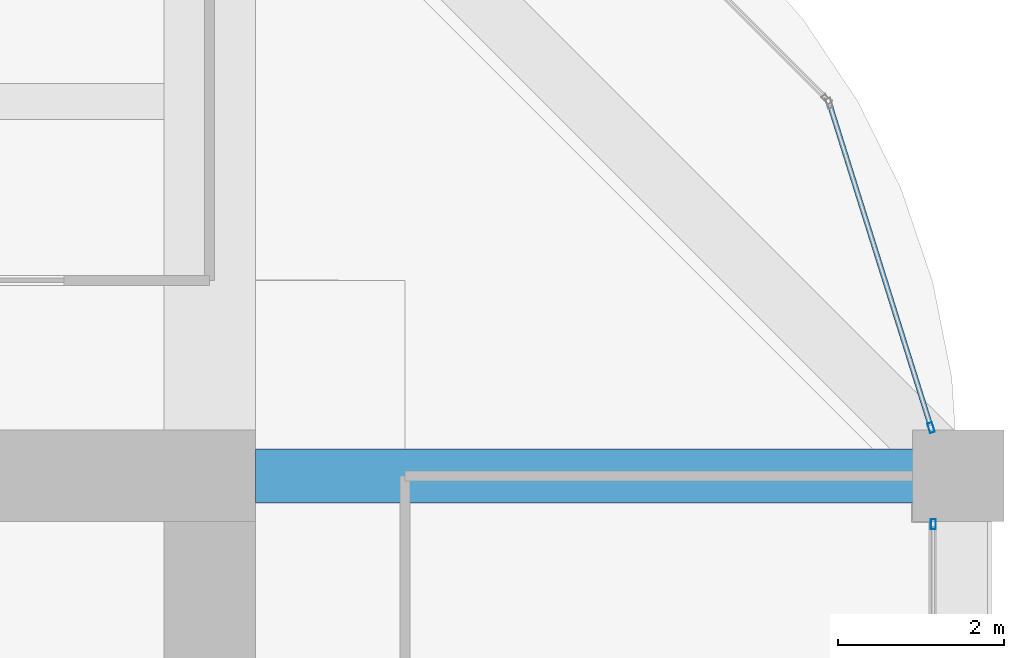
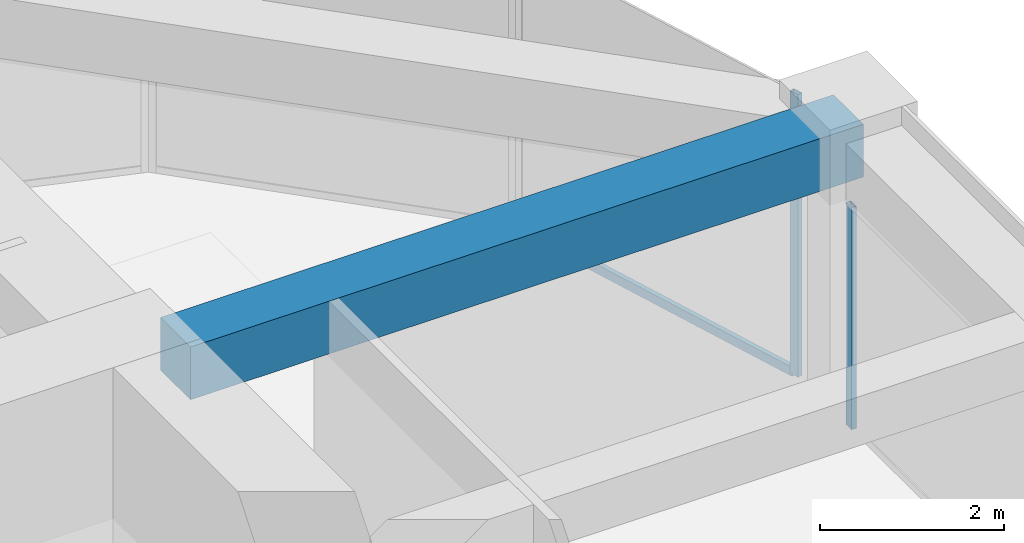
# One storey, part 36 of 44: 3 members, 1 beam, 2 elements without a shape of their own.
"""IFC4 building model written with IfcOpenShell, lengths in metres."""

import ifcopenshell
import ifcopenshell.guid

model = None  # the IFC model being written
_history = None  # IfcOwnerHistory: only IFC2X3 demands one
_inside = {}  # id of a spatial element -> (the spatial element, [elements in it])
_under = {}  # id of a project, library or spatial element -> (it, [spatial elements below it])
_declared = {}  # id of a project -> (the project, [libraries it declares])
_typed = {}  # id of a type object -> (the type object, [elements of that type])
_made_of = {}  # id of a material, layer set ... -> (it, [elements and type objects made of it])


def new_model(schema):
    """Start an empty IFC model of exactly this schema.

    Asked for "IFC4X3", IfcOpenShell would pick the latest addendum, in which some entities
    have other attributes; the version numbers below select the first issue.
    IFC2X3 requires an IfcOwnerHistory on every rooted entity: one is made here for all.
    """
    global model, _history
    if schema == "IFC4X3":
        model = ifcopenshell.file(schema_version=(4, 3, 0, 0))
    else:
        model = ifcopenshell.file(schema=schema)
    _inside.clear()
    _under.clear()
    _declared.clear()
    _typed.clear()
    _made_of.clear()
    _history = None
    if model.schema == "IFC2X3":
        org = make("IfcOrganization", Name="unknown")
        user = make(
            "IfcPersonAndOrganization",
            ThePerson=make("IfcPerson", FamilyName="unknown"),
            TheOrganization=org,
        )
        app = make(
            "IfcApplication",
            ApplicationDeveloper=org,
            Version="unknown",
            ApplicationFullName="unknown",
            ApplicationIdentifier="unknown",
        )
        _history = make(
            "IfcOwnerHistory",
            OwningUser=user,
            OwningApplication=app,
            ChangeAction="ADDED",
            CreationDate=0,
        )
    return model


def make(cls, **values):
    """One entity of the class cls with the attributes given. An attribute that is None is left unset."""
    return model.create_entity(
        cls, **{name: value for name, value in values.items() if value is not None}
    )


def rooted(cls, **values):
    """An entity with a GlobalId (a new one), such as an element, a storey or a relation."""
    return make(cls, GlobalId=ifcopenshell.guid.new(), OwnerHistory=_history, **values)


def si_unit(unit_type, name, prefix=None):
    """IfcSIUnit, for example si_unit("LENGTHUNIT", "METRE", prefix="MILLI")."""
    return make("IfcSIUnit", UnitType=unit_type, Prefix=prefix, Name=name)


def assignment(units):
    """IfcUnitAssignment: the units of a project."""
    return None if units is None else make("IfcUnitAssignment", Units=units)


def point(xyz):
    """IfcCartesianPoint."""
    return None if xyz is None else make("IfcCartesianPoint", Coordinates=xyz)


def direction(xyz):
    """IfcDirection."""
    return None if xyz is None else make("IfcDirection", DirectionRatios=xyz)


def frame(location, z_axis=None, x_axis=None):
    """IfcAxis2Placement3D, a coordinate frame: its origin and axes. An axis left out is left unset."""
    return make(
        "IfcAxis2Placement3D",
        Location=point(location),
        Axis=direction(z_axis),
        RefDirection=direction(x_axis),
    )


def frame_2d(location, x_axis=None):
    """IfcAxis2Placement2D, a coordinate frame in the plane: its origin and x axis."""
    return make(
        "IfcAxis2Placement2D", Location=point(location), RefDirection=direction(x_axis)
    )


def origin():
    """The frame at (0, 0, 0) with its axes left unset."""
    return frame((0.0, 0.0, 0.0))


def origin_2d():
    """The frame at (0, 0) in the plane with its x axis left unset."""
    return frame_2d((0.0, 0.0))


def place(relative_to, where):
    """IfcLocalPlacement: puts the frame where relative to a parent placement (None: the world)."""
    return make(
        "IfcLocalPlacement", PlacementRelTo=relative_to, RelativePlacement=where
    )


def context(
    kind, dimensions, precision=None, world=None, true_north=None, identifier=None
):
    """IfcGeometricRepresentationContext, for example the 3D "Model" context."""
    return make(
        "IfcGeometricRepresentationContext",
        ContextIdentifier=identifier,
        ContextType=kind,
        CoordinateSpaceDimension=dimensions,
        Precision=precision,
        WorldCoordinateSystem=world,
        TrueNorth=true_north,
    )


def subcontext(parent, identifier, kind, view, scale=None):
    """IfcGeometricRepresentationSubContext, for example "Body" below "Model"."""
    return make(
        "IfcGeometricRepresentationSubContext",
        ContextIdentifier=identifier,
        ContextType=kind,
        ParentContext=parent,
        TargetScale=scale,
        TargetView=view,
    )


def project(units=None, contexts=None):
    """IfcProject with its units and contexts."""
    return rooted(
        "IfcProject",
        Name="project",
        RepresentationContexts=contexts,
        UnitsInContext=assignment(units),
    )


def spatial(cls, under=None, at=None, **own):
    """A site, building, storey or space (cls), placed at a placement, below another one or the project."""
    s = rooted(cls, ObjectPlacement=at, **own)
    if under is not None:
        _under.setdefault(under.id(), (under, []))[1].append(s)
    return s


def profile(cls, at=None, kind="AREA", **sizes):
    """A parametric profile (cls). Its sizes go by their IFC names, for example OverallWidth=200.0."""
    return make(cls, ProfileType=kind, Position=at, **sizes)


def rectangle(**sizes):
    """IfcRectangleProfileDef."""
    return profile("IfcRectangleProfileDef", **sizes)


def hollow_rectangle(**sizes):
    """IfcRectangleHollowProfileDef."""
    return profile("IfcRectangleHollowProfileDef", **sizes)


def extrude(swept, where, along, depth):
    """IfcExtrudedAreaSolid: the profile swept, set in the frame where, extruded along a direction by depth."""
    return make(
        "IfcExtrudedAreaSolid",
        SweptArea=swept,
        Position=where,
        ExtrudedDirection=direction(along),
        Depth=depth,
    )


def shape(context_of_items, identifier, shape_type, items):
    """IfcShapeRepresentation: the items that make up one representation, for example the "Body"."""
    return make(
        "IfcShapeRepresentation",
        ContextOfItems=context_of_items,
        RepresentationIdentifier=identifier,
        RepresentationType=shape_type,
        Items=items,
    )


def material(Name=None, Category=None):
    """IfcMaterial."""
    return make("IfcMaterial", Name=Name, Category=Category)


def material_profile(
    of_material, cross_section, Name=None, Category=None, Priority=None
):
    """IfcMaterialProfile: a cross section and its material."""
    return make(
        "IfcMaterialProfile",
        Name=Name,
        Material=of_material,
        Profile=cross_section,
        Priority=Priority,
        Category=Category,
    )


def profile_set(profiles, Name=None, composite=None):
    """IfcMaterialProfileSet."""
    return make(
        "IfcMaterialProfileSet",
        Name=Name,
        MaterialProfiles=profiles,
        CompositeProfile=composite,
    )


def made_of(thing, what):
    """Note that an element or type object is made of a material, layer set ...; save() writes the relation."""
    if what is not None:
        _made_of.setdefault(what.id(), (what, []))[1].append(thing)
    return thing


def type_object(cls, material=None, **own):
    """A type object (cls), such as IfcWallType, which elements share."""
    return made_of(rooted(cls, **own), material)


def element(
    cls,
    number,
    at=None,
    inside=None,
    cuts=None,
    type_object=None,
    material=None,
    context=None,
    identifier="Body",
    shape_type=None,
    held_by="IfcProductDefinitionShape",
    body=None,
    shapes=None,
    **own,
):
    """One element of the class cls, such as IfcWall. Its Tag is "e" and its number.

    at: its placement. inside: the storey or other place that contains it. cuts: it is an
    opening in that element (IfcRelVoidsElement). A single representation is given by context,
    identifier, shape_type and body (its items); several are given by shapes. held_by: the class
    of the entity that holds the representations. save() writes the other relations.
    """
    e = rooted(cls, Tag="e%d" % number, ObjectPlacement=at, **own)
    if body is not None:
        shapes = [shape(context, identifier, shape_type, body)]
    if shapes is not None:
        e.Representation = make(held_by, Representations=shapes)
    if inside is not None:
        _inside.setdefault(inside.id(), (inside, []))[1].append(e)
    if cuts is not None:
        rooted(
            "IfcRelVoidsElement", RelatingBuildingElement=cuts, RelatedOpeningElement=e
        )
    if type_object is not None:
        _typed.setdefault(type_object.id(), (type_object, []))[1].append(e)
    return made_of(e, material)


def aggregate(whole, parts):
    """IfcRelAggregates: a whole, such as a stair, and the parts it consists of."""
    return rooted("IfcRelAggregates", RelatingObject=whole, RelatedObjects=parts)


def save(model, path):
    """Write the relations noted so far, then the file.

    IfcRelAggregates (storeys below a building ...), IfcRelContainedInSpatialStructure (elements
    in a storey), IfcRelDefinesByType, IfcRelAssociatesMaterial and IfcRelDeclares: one each for
    every whole, place, type object, material and project.
    """
    for whole, parts in _under.values():
        aggregate(whole, parts)
    for where, things in _inside.values():
        rooted(
            "IfcRelContainedInSpatialStructure",
            RelatedElements=things,
            RelatingStructure=where,
        )
    for kind, things in _typed.values():
        rooted("IfcRelDefinesByType", RelatedObjects=things, RelatingType=kind)
    for what, things in _made_of.values():
        rooted("IfcRelAssociatesMaterial", RelatedObjects=things, RelatingMaterial=what)
    for by, libraries in _declared.values():
        rooted("IfcRelDeclares", RelatingContext=by, RelatedDefinitions=libraries)
    model.write(path)


model = new_model("IFC4")

# Units and contexts
model_context = context("Model", 3, precision=1e-05, world=origin(), true_north=direction((0.0, 1.0)))
body_context = subcontext(model_context, "Body", "Model", "MODEL_VIEW")
ifc_project = project(units=[si_unit("LENGTHUNIT", "METRE"), si_unit("AREAUNIT", "SQUARE_METRE"), si_unit("VOLUMEUNIT", "CUBIC_METRE"), si_unit("PLANEANGLEUNIT", "RADIAN"), si_unit("MASSUNIT", "GRAM", prefix="KILO")], contexts=[model_context])

# Site, building, storey
site_placement = place(None, origin())
site = spatial("IfcSite", under=ifc_project, at=site_placement, CompositionType="ELEMENT")
building_placement = place(site_placement, origin())
building = spatial("IfcBuilding", under=site, at=building_placement, Name="Zorevar Civic Tower", CompositionType="ELEMENT")
storey_placement = place(building_placement, frame((0.0, 0.0, 251.39990234375)))
storey = spatial("IfcBuildingStorey", under=building, at=storey_placement, Name="L61", CompositionType="ELEMENT", Elevation=251.39990234375)

# Beam
ifc_material_1 = material(Name="Concrete C50/60", Category="concrete")
ifc_material_profile_1 = material_profile(ifc_material_1, rectangle(XDim=0.64990234375, YDim=0.699951171875, at=origin_2d()), Name="RC 650x700")
ifc_profile_set_1 = profile_set([ifc_material_profile_1], Name="Concrete C50/60")
beam_type = type_object("IfcBeamType", Name="Beam RC 650x700", PredefinedType="BEAM", material=ifc_profile_set_1)
beam_placement = place(storey_placement, frame((45.550048828125, 36.0, 3.400146484375), z_axis=(1.0, 0.0, 0.0), x_axis=(0.0, 1.0, 0.0)))
element("IfcBeam", 1, at=beam_placement, inside=storey, type_object=beam_type, Name="Girder L62", PredefinedType="BEAM", context=body_context, shape_type="SweptSolid", body=[
    extrude(rectangle(XDim=0.64990234375, YDim=0.699951171875, at=origin_2d()), origin(), (0.0, 0.0, 1.0), 8.449951171875),
])

# Curtain wall, member
ifc_material_2 = material(Name="Dark grey solar-control glass in black aluminium frame", Category="aluminium")
curtain_wall_type = type_object("IfcCurtainWallType", Name="Curtain wall CW5 top zone", PredefinedType="NOTDEFINED", material=ifc_material_2)
curtain_wall_1_placement = place(storey_placement, origin())
curtain_wall_1 = element("IfcCurtainWall", 2, at=curtain_wall_1_placement, inside=storey, type_object=curtain_wall_type, Name="CW5 L61", PredefinedType="NOTDEFINED")
ifc_material_3 = material(Name="Aluminium, black anodised", Category="aluminium")
ifc_material_profile_2 = material_profile(ifc_material_3, hollow_rectangle(XDim=0.06005859375, YDim=0.1201171875, WallThickness=0.0029296875, at=origin_2d()), Name="AL 120x60x3")
ifc_profile_set_2 = profile_set([ifc_material_profile_2], Name="Aluminium, black anodised")
member_type_1 = type_object("IfcMemberType", Name="CW5 mullion AL 120x60x3", PredefinedType="MULLION", material=ifc_profile_set_2)
member_1_placement = place(storey_placement, frame((53.699951171875, 35.419921875, 0.0), z_axis=(0.0, 0.0, 1.0), x_axis=(-1.0, 0.0, 0.0)))
member_1 = element("IfcMember", 3, at=member_1_placement, type_object=member_type_1, Name="CW5 mullion 3", PredefinedType="MULLION", context=body_context, shape_type="SweptSolid", body=[
    extrude(hollow_rectangle(XDim=0.06005859375, YDim=0.1201171875, WallThickness=0.0029296875, at=origin_2d()), origin(), (0.0, 0.0, 1.0), 2.9501953125),
])
aggregate(curtain_wall_1, [member_1])

# Curtain wall, members
curtain_wall_2_placement = place(storey_placement, origin())
curtain_wall_2 = element("IfcCurtainWall", 4, at=curtain_wall_2_placement, inside=storey, type_object=curtain_wall_type, Name="CW5 L61", PredefinedType="NOTDEFINED")
member_2_placement = place(storey_placement, frame((53.673583984375, 36.57861328125, 0.0), z_axis=(0.0, 0.0, 1.0), x_axis=(-0.954153437674, -0.299317920238, 0.0)))
member_2 = element("IfcMember", 5, at=member_2_placement, type_object=member_type_1, Name="CW5 mullion 1", PredefinedType="MULLION", context=body_context, shape_type="SweptSolid", body=[
    extrude(hollow_rectangle(XDim=0.06005859375, YDim=0.1201171875, WallThickness=0.0029296875, at=origin_2d()), origin(), (0.0, 0.0, 1.0), 3.75),
])
ifc_material_4 = material(Name="Aluminium, black anodised", Category="aluminium")
ifc_material_profile_3 = material_profile(ifc_material_4, hollow_rectangle(XDim=0.06005859375, YDim=0.1201171875, WallThickness=0.0029296875, at=origin_2d()), Name="AL 120x60x3")
ifc_profile_set_3 = profile_set([ifc_material_profile_3], Name="Aluminium, black anodised")
member_type_2 = type_object("IfcMemberType", Name="CW5 transom AL 120x60x3", PredefinedType="USERDEFINED", material=ifc_profile_set_3)
member_3_placement = place(storey_placement, frame((53.66455078125, 36.607177734375, 0.030029296875), z_axis=(-0.299285978047, 0.954163457351, 0.0), x_axis=(-0.954163457351, -0.299285978047, 0.0)))
member_3 = element("IfcMember", 6, at=member_3_placement, type_object=member_type_2, Name="CW5 sill transom", ObjectType="TRANSOM", PredefinedType="USERDEFINED", context=body_context, shape_type="SweptSolid", body=[
    extrude(hollow_rectangle(XDim=0.06005859375, YDim=0.1201171875, WallThickness=0.0029296875, at=origin_2d()), origin(), (0.0, 0.0, 1.0), 4.028076171875),
])
aggregate(curtain_wall_2, [member_2, member_3])

save(model, "model.ifc")
